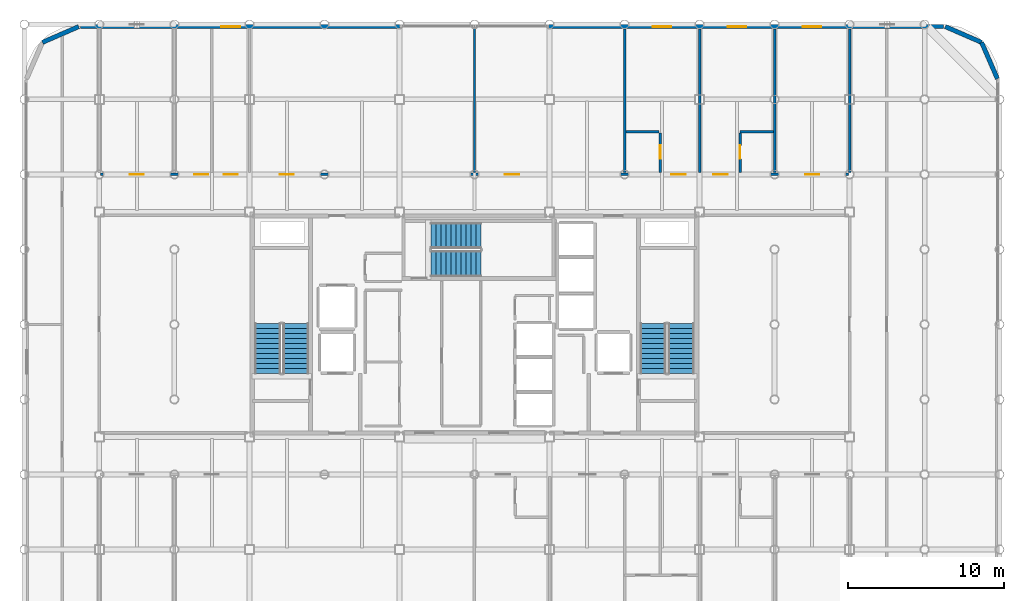
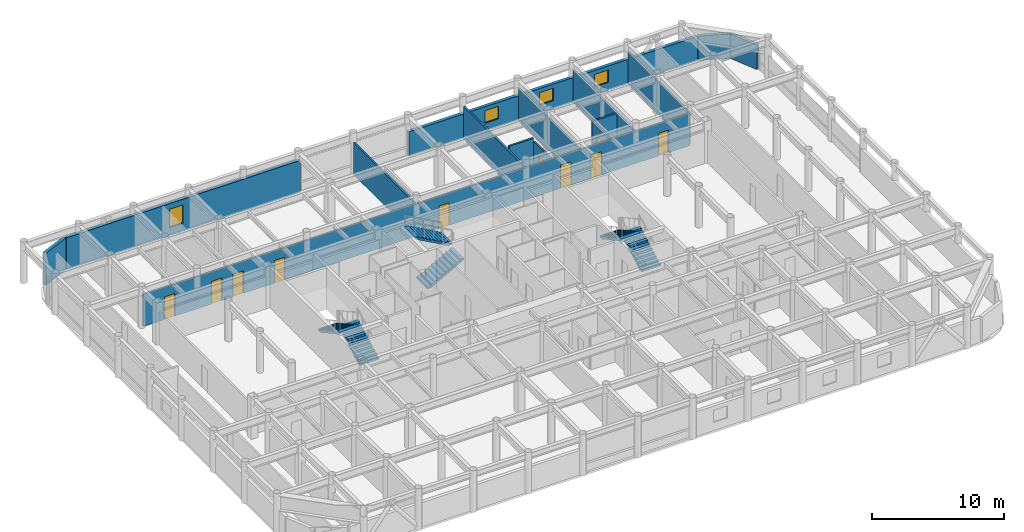
# One storey, part 20 of 21: 15 walls, 10 doors, 6 stair flights, 4 windows, 14 openings, 3 elements without a shape of their own.
"""IFC4 building model written with IfcOpenShell, lengths in metres."""

from ifc_helpers import new_model, si_unit, direction, frame, frame_2d, origin, place, context, subcontext, project, spatial, polyline, rectangle, outline, extrude, material, layer, layer_set, type_object, element, fill, aggregate, save


model = new_model("IFC4")

# Units and contexts
model_context = context("Model", 3, precision=1e-05, world=origin(), true_north=direction((0.0, 1.0)))
body_context = subcontext(model_context, "Body", "Model", "MODEL_VIEW")
ifc_project = project(units=[si_unit("LENGTHUNIT", "METRE"), si_unit("AREAUNIT", "SQUARE_METRE"), si_unit("VOLUMEUNIT", "CUBIC_METRE"), si_unit("PLANEANGLEUNIT", "RADIAN"), si_unit("MASSUNIT", "GRAM", prefix="KILO")], contexts=[model_context])

# Site, building, storey
site_placement = place(None, origin())
site = spatial("IfcSite", under=ifc_project, at=site_placement, CompositionType="ELEMENT")
building_placement = place(site_placement, origin())
building = spatial("IfcBuilding", under=site, at=building_placement, Name="Kallvorn Hotel Tower", CompositionType="ELEMENT")
storey_placement = place(building_placement, frame((0.0, 0.0, 210.75)))
storey = spatial("IfcBuildingStorey", under=building, at=storey_placement, Name="L52", CompositionType="ELEMENT", Elevation=210.75)

# Wall, openings, doors
ifc_material_1 = material(Name="Fire-rated double-layer acoustic gypsum drywall EI 60")
ifc_layer_1 = layer(ifc_material_1, 0.159912109375)
ifc_layer_set_1 = layer_set([ifc_layer_1], Name="WL_DEMISE_160")
wall_type_1 = type_object("IfcWallType", Name="WL_DEMISE_160", PredefinedType="PARTITIONING", material=ifc_layer_set_1)
wall_1_placement = place(storey_placement, frame((-23.919921875, 9.60009765625, 0.0), z_axis=(0.0, 0.0, 1.0), x_axis=(1.0, 0.0, 0.0)))
wall_1 = element("IfcWall", 1, at=wall_1_placement, inside=storey, type_object=wall_type_1, Name="L52 Suite 5204 Standard King Room Partition", PredefinedType="PARTITIONING", context=body_context, shape_type="SweptSolid", body=[
    extrude(rectangle(XDim=47.83984375, YDim=0.159912109375, at=frame_2d((23.919921875, 0.0))), origin(), (0.0, 0.0, 1.0), 2.969970703125),
])
opening_1_placement = place(wall_1_placement, frame((1.8701171875, 0.0, 0.0)))
opening_1 = element("IfcOpeningElement", 2, at=opening_1_placement, cuts=wall_1, Name="Opening SVD1", PredefinedType="OPENING", context=body_context, shape_type="SweptSolid", body=[
    extrude(rectangle(XDim=0.89990234375, YDim=2.10009765625, at=frame_2d((0.449951171875, 1.050048828125))), frame((0.0, 0.094970703125, 0.0), z_axis=(0.0, -1.0, 0.0), x_axis=(1.0, 0.0, 0.0)), (0.0, 0.0, 1.0), 0.18994140625),
])
opening_2_placement = place(wall_1_placement, frame((45.070068359375, 0.0, 0.0)))
opening_2 = element("IfcOpeningElement", 3, at=opening_2_placement, cuts=wall_1, Name="Opening SVD1", PredefinedType="OPENING", context=body_context, shape_type="SweptSolid", body=[
    extrude(rectangle(XDim=0.89990234375, YDim=2.10009765625, at=frame_2d((0.449951171875, 1.050048828125))), frame((0.0, 0.094970703125, 0.0), z_axis=(0.0, -1.0, 0.0), x_axis=(1.0, 0.0, 0.0)), (0.0, 0.0, 1.0), 0.18994140625),
])
opening_3_placement = place(wall_1_placement, frame((5.97998046875, 0.0, 0.0)))
opening_3 = element("IfcOpeningElement", 4, at=opening_3_placement, cuts=wall_1, Name="Opening SVD1", PredefinedType="OPENING", context=body_context, shape_type="SweptSolid", body=[
    extrude(rectangle(XDim=0.89990234375, YDim=2.10009765625, at=frame_2d((0.449951171875, 1.050048828125))), frame((0.0, 0.094970703125, 0.0), z_axis=(0.0, -1.0, 0.0), x_axis=(1.0, 0.0, 0.0)), (0.0, 0.0, 1.0), 0.18994140625),
])
opening_4_placement = place(wall_1_placement, frame((7.8701171875, 0.0, 0.0)))
opening_4 = element("IfcOpeningElement", 5, at=opening_4_placement, cuts=wall_1, Name="Opening SVD1", PredefinedType="OPENING", context=body_context, shape_type="SweptSolid", body=[
    extrude(rectangle(XDim=0.89990234375, YDim=2.10009765625, at=frame_2d((0.449951171875, 1.050048828125))), frame((0.0, 0.094970703125, 0.0), z_axis=(0.0, -1.0, 0.0), x_axis=(1.0, 0.0, 0.0)), (0.0, 0.0, 1.0), 0.18994140625),
])
opening_5_placement = place(wall_1_placement, frame((11.469970703125, 0.0, 0.0)))
opening_5 = element("IfcOpeningElement", 6, at=opening_5_placement, cuts=wall_1, Name="Opening SVD1", PredefinedType="OPENING", context=body_context, shape_type="SweptSolid", body=[
    extrude(rectangle(XDim=0.89990234375, YDim=2.10009765625, at=frame_2d((0.449951171875, 1.050048828125))), frame((0.0, 0.094970703125, 0.0), z_axis=(0.0, -1.0, 0.0), x_axis=(1.0, 0.0, 0.0)), (0.0, 0.0, 1.0), 0.18994140625),
])
opening_6_placement = place(wall_1_placement, frame((25.8701171875, 0.0, 0.0)))
opening_6 = element("IfcOpeningElement", 7, at=opening_6_placement, cuts=wall_1, Name="Opening SVD1", PredefinedType="OPENING", context=body_context, shape_type="SweptSolid", body=[
    extrude(rectangle(XDim=0.89990234375, YDim=2.10009765625, at=frame_2d((0.449951171875, 1.050048828125))), frame((0.0, 0.094970703125, 0.0), z_axis=(0.0, -1.0, 0.0), x_axis=(1.0, 0.0, 0.0)), (0.0, 0.0, 1.0), 0.18994140625),
])
opening_7_placement = place(wall_1_placement, frame((36.52490234375, 0.0, 0.0)))
opening_7 = element("IfcOpeningElement", 8, at=opening_7_placement, cuts=wall_1, Name="Opening GD1", PredefinedType="OPENING", context=body_context, shape_type="SweptSolid", body=[
    extrude(rectangle(XDim=0.919921875, YDim=2.14990234375, at=frame_2d((0.4599609375, 1.074951171875))), frame((0.0, 0.094970703125, 0.0), z_axis=(0.0, -1.0, 0.0), x_axis=(1.0, 0.0, 0.0)), (0.0, 0.0, 1.0), 0.18994140625),
])
opening_8_placement = place(wall_1_placement, frame((39.195068359375, 0.0, 0.0)))
opening_8 = element("IfcOpeningElement", 9, at=opening_8_placement, cuts=wall_1, Name="Opening GD1", PredefinedType="OPENING", context=body_context, shape_type="SweptSolid", body=[
    extrude(rectangle(XDim=0.919921875, YDim=2.14990234375, at=frame_2d((0.4599609375, 1.074951171875))), frame((0.0, 0.094970703125, 0.0), z_axis=(0.0, -1.0, 0.0), x_axis=(1.0, 0.0, 0.0)), (0.0, 0.0, 1.0), 0.18994140625),
])
ifc_material_2 = material(Name="Solid-core walnut veneer fire-rated timber door leaf", Category="wood")
door_type_1 = type_object("IfcDoorType", Name="DR_GUEST_920x2150", OperationType="NOTDEFINED", PredefinedType="DOOR", material=ifc_material_2)
door_1_placement = place(opening_7_placement, origin())
door_1 = element("IfcDoor", 10, at=door_1_placement, inside=storey, type_object=door_type_1, Name="L52 Suite 5204 Standard King Room Door", OperationType="SINGLE_SWING_LEFT", OverallHeight=2.14990234375, OverallWidth=0.919921875, PredefinedType="DOOR", context=body_context, shape_type="SweptSolid", body=[
    extrude(rectangle(XDim=0.919921875, YDim=2.14990234375, at=frame_2d((0.4599609375, 1.074951171875))), frame((0.0, 0.02490234375, 0.0), z_axis=(0.0, -1.0, 0.0), x_axis=(1.0, 0.0, 0.0)), (0.0, 0.0, 1.0), 0.050048828125),
])
fill(opening_7, door_1)
door_2_placement = place(opening_8_placement, origin())
door_2 = element("IfcDoor", 11, at=door_2_placement, inside=storey, type_object=door_type_1, Name="L52 Suite 5205 Standard King Room Door", OperationType="SINGLE_SWING_RIGHT", OverallHeight=2.14990234375, OverallWidth=0.919921875, PredefinedType="DOOR", context=body_context, shape_type="SweptSolid", body=[
    extrude(rectangle(XDim=0.919921875, YDim=2.14990234375, at=frame_2d((0.4599609375, 1.074951171875))), frame((0.0, 0.02490234375, 0.0), z_axis=(0.0, -1.0, 0.0), x_axis=(1.0, 0.0, 0.0)), (0.0, 0.0, 1.0), 0.050048828125),
])
fill(opening_8, door_2)
ifc_material_3 = material(Name="Galvanised painted steel fire-rated door assembly", Category="steel")
door_type_2 = type_object("IfcDoorType", Name="DR_SERV_900x2100", OperationType="NOTDEFINED", PredefinedType="DOOR", material=ifc_material_3)
door_3_placement = place(opening_1_placement, origin())
door_3 = element("IfcDoor", 12, at=door_3_placement, inside=storey, type_object=door_type_2, Name="L52 L52 High-Zone North-West Reading Salon Door", OperationType="SINGLE_SWING_LEFT", OverallHeight=2.10009765625, OverallWidth=0.89990234375, PredefinedType="DOOR", context=body_context, shape_type="SweptSolid", body=[
    extrude(rectangle(XDim=0.89990234375, YDim=2.10009765625, at=frame_2d((0.449951171875, 1.050048828125))), frame((0.0, 0.02490234375, 0.0), z_axis=(0.0, -1.0, 0.0), x_axis=(1.0, 0.0, 0.0)), (0.0, 0.0, 1.0), 0.050048828125),
])
fill(opening_1, door_3)
door_4_placement = place(opening_2_placement, origin())
door_4 = element("IfcDoor", 13, at=door_4_placement, inside=storey, type_object=door_type_2, Name="L52 L52 High-Zone North-East Pastry Bar Door", OperationType="SINGLE_SWING_LEFT", OverallHeight=2.10009765625, OverallWidth=0.89990234375, PredefinedType="DOOR", context=body_context, shape_type="SweptSolid", body=[
    extrude(rectangle(XDim=0.89990234375, YDim=2.10009765625, at=frame_2d((0.449951171875, 1.050048828125))), frame((0.0, 0.02490234375, 0.0), z_axis=(0.0, -1.0, 0.0), x_axis=(1.0, 0.0, 0.0)), (0.0, 0.0, 1.0), 0.050048828125),
])
fill(opening_2, door_4)
door_5_placement = place(opening_3_placement, origin())
door_5 = element("IfcDoor", 14, at=door_5_placement, inside=storey, type_object=door_type_2, Name="L52 Housekeeping and Linen Room Door", OperationType="SINGLE_SWING_RIGHT", OverallHeight=2.10009765625, OverallWidth=0.89990234375, PredefinedType="DOOR", context=body_context, shape_type="SweptSolid", body=[
    extrude(rectangle(XDim=0.89990234375, YDim=2.10009765625, at=frame_2d((0.449951171875, 1.050048828125))), frame((0.0, 0.02490234375, 0.0), z_axis=(0.0, -1.0, 0.0), x_axis=(1.0, 0.0, 0.0)), (0.0, 0.0, 1.0), 0.050048828125),
])
fill(opening_3, door_5)
door_6_placement = place(opening_4_placement, origin())
door_6 = element("IfcDoor", 15, at=door_6_placement, inside=storey, type_object=door_type_2, Name="L52 Guest Tea and Refreshment Bar Door", OperationType="SINGLE_SWING_LEFT", OverallHeight=2.10009765625, OverallWidth=0.89990234375, PredefinedType="DOOR", context=body_context, shape_type="SweptSolid", body=[
    extrude(rectangle(XDim=0.89990234375, YDim=2.10009765625, at=frame_2d((0.449951171875, 1.050048828125))), frame((0.0, 0.02490234375, 0.0), z_axis=(0.0, -1.0, 0.0), x_axis=(1.0, 0.0, 0.0)), (0.0, 0.0, 1.0), 0.050048828125),
])
fill(opening_4, door_6)
door_7_placement = place(opening_5_placement, origin())
door_7 = element("IfcDoor", 16, at=door_7_placement, inside=storey, type_object=door_type_2, Name="L52 L52 Andean Tasting Sky Restaurant 2 Door", OperationType="SINGLE_SWING_LEFT", OverallHeight=2.10009765625, OverallWidth=0.89990234375, PredefinedType="DOOR", context=body_context, shape_type="SweptSolid", body=[
    extrude(rectangle(XDim=0.89990234375, YDim=2.10009765625, at=frame_2d((0.449951171875, 1.050048828125))), frame((0.0, 0.02490234375, 0.0), z_axis=(0.0, -1.0, 0.0), x_axis=(1.0, 0.0, 0.0)), (0.0, 0.0, 1.0), 0.050048828125),
])
fill(opening_5, door_7)
door_8_placement = place(opening_6_placement, origin())
door_8 = element("IfcDoor", 17, at=door_8_placement, inside=storey, type_object=door_type_2, Name="L52 L52 Curated Emerald Craft Retail Boutique 3 Door", OperationType="SINGLE_SWING_RIGHT", OverallHeight=2.10009765625, OverallWidth=0.89990234375, PredefinedType="DOOR", context=body_context, shape_type="SweptSolid", body=[
    extrude(rectangle(XDim=0.89990234375, YDim=2.10009765625, at=frame_2d((0.449951171875, 1.050048828125))), frame((0.0, 0.02490234375, 0.0), z_axis=(0.0, -1.0, 0.0), x_axis=(1.0, 0.0, 0.0)), (0.0, 0.0, 1.0), 0.050048828125),
])
fill(opening_6, door_8)

# Walls
wall_2_placement = place(storey_placement, frame((9.679931640625, 12.320068359375, 0.0), z_axis=(0.0, 0.0, 1.0), x_axis=(1.0, 0.0, 0.0)))
element("IfcWall", 18, at=wall_2_placement, inside=storey, type_object=wall_type_1, Name="L52 Suite 5204 Standard King Room Partition", PredefinedType="PARTITIONING", context=body_context, shape_type="SweptSolid", body=[
    extrude(rectangle(XDim=2.130126953125, YDim=0.159912109375, at=frame_2d((1.06494140625, 0.0))), origin(), (0.0, 0.0, 1.0), 3.27001953125),
])
wall_3_placement = place(storey_placement, frame((16.989990234375, 12.320068359375, 0.0), z_axis=(0.0, 0.0, 1.0), x_axis=(1.0, 0.0, 0.0)))
element("IfcWall", 19, at=wall_3_placement, inside=storey, type_object=wall_type_1, Name="L52 Suite 5205 Standard King Room Partition", PredefinedType="PARTITIONING", context=body_context, shape_type="SweptSolid", body=[
    extrude(rectangle(XDim=2.130126953125, YDim=0.159912109375, at=frame_2d((1.06494140625, 0.0))), origin(), (0.0, 0.0, 1.0), 3.02001953125),
])
wall_4_placement = place(storey_placement, frame((9.60009765625, 9.719970703125, 0.0), z_axis=(0.0, 0.0, 1.0), x_axis=(0.0, 1.0, 0.0)))
element("IfcWall", 20, at=wall_4_placement, inside=storey, type_object=wall_type_1, Name="L52 Suite 5204 Standard King Room Partition", PredefinedType="PARTITIONING", context=body_context, shape_type="SweptSolid", body=[
    extrude(rectangle(XDim=9.18994140625, YDim=0.159912109375, at=frame_2d((4.594970703125, 0.0))), origin(), (0.0, 0.0, 1.0), 2.969970703125),
])

# Wall, opening, door
wall_5_placement = place(storey_placement, frame((11.885009765625, 9.719970703125, 0.0), z_axis=(0.0, 0.0, 1.0), x_axis=(0.0, 1.0, 0.0)))
wall_5 = element("IfcWall", 21, at=wall_5_placement, inside=storey, type_object=wall_type_1, Name="L52 Suite 5204 Standard King Room Partition", PredefinedType="PARTITIONING", context=body_context, shape_type="SweptSolid", body=[
    extrude(rectangle(XDim=2.51513671875, YDim=0.159912109375, at=frame_2d((1.257568359375, 0.0))), origin(), (0.0, 0.0, 1.0), 2.969970703125),
])
opening_9_placement = place(wall_5_placement, frame((0.8701171875, 0.0, 0.0)))
opening_9 = element("IfcOpeningElement", 22, at=opening_9_placement, cuts=wall_5, Name="Opening BD-I", PredefinedType="OPENING", context=body_context, shape_type="SweptSolid", body=[
    extrude(rectangle(XDim=0.860107421875, YDim=2.10009765625, at=frame_2d((0.43017578125, 1.050048828125))), frame((0.0, 0.094970703125, 0.0), z_axis=(0.0, -1.0, 0.0), x_axis=(1.0, 0.0, 0.0)), (0.0, 0.0, 1.0), 0.18994140625),
])
ifc_material_4 = material(Name="Solid-core walnut veneer fire-rated timber door leaf", Category="wood")
door_type_3 = type_object("IfcDoorType", Name="DR_BATH_860x2100", OperationType="NOTDEFINED", PredefinedType="DOOR", material=ifc_material_4)
door_9_placement = place(opening_9_placement, origin())
door_9 = element("IfcDoor", 23, at=door_9_placement, inside=storey, type_object=door_type_3, Name="L52 Suite 5204 En-Suite Bathroom Door", OperationType="SINGLE_SWING_RIGHT", OverallHeight=2.10009765625, OverallWidth=0.860107421875, PredefinedType="DOOR", context=body_context, shape_type="SweptSolid", body=[
    extrude(rectangle(XDim=0.860107421875, YDim=2.10009765625, at=frame_2d((0.43017578125, 1.050048828125))), frame((0.0, 0.02490234375, 0.0), z_axis=(0.0, -1.0, 0.0), x_axis=(1.0, 0.0, 0.0)), (0.0, 0.0, 1.0), 0.050048828125),
])
fill(opening_9, door_9)

# Wall
wall_6_placement = place(storey_placement, frame((14.39990234375, 9.719970703125, 0.0), z_axis=(0.0, 0.0, 1.0), x_axis=(0.0, 1.0, 0.0)))
element("IfcWall", 24, at=wall_6_placement, inside=storey, type_object=wall_type_1, Name="L52 Suite 5204 Standard King Room Partition", PredefinedType="PARTITIONING", context=body_context, shape_type="SweptSolid", body=[
    extrude(rectangle(XDim=9.18994140625, YDim=0.159912109375, at=frame_2d((4.594970703125, 0.0))), origin(), (0.0, 0.0, 1.0), 2.969970703125),
])

# Wall, opening, door
wall_7_placement = place(storey_placement, frame((16.989990234375, 9.719970703125, 0.0), z_axis=(0.0, 0.0, 1.0), x_axis=(0.0, 1.0, 0.0)))
wall_7 = element("IfcWall", 25, at=wall_7_placement, inside=storey, type_object=wall_type_1, Name="L52 Suite 5205 Standard King Room Partition", PredefinedType="PARTITIONING", context=body_context, shape_type="SweptSolid", body=[
    extrude(rectangle(XDim=2.51513671875, YDim=0.159912109375, at=frame_2d((1.257568359375, 0.0))), origin(), (0.0, 0.0, 1.0), 2.969970703125),
])
opening_10_placement = place(wall_7_placement, frame((0.8701171875, 0.0, 0.0)))
opening_10 = element("IfcOpeningElement", 26, at=opening_10_placement, cuts=wall_7, Name="Opening BD-I", PredefinedType="OPENING", context=body_context, shape_type="SweptSolid", body=[
    extrude(rectangle(XDim=0.860107421875, YDim=2.10009765625, at=frame_2d((0.43017578125, 1.050048828125))), frame((0.0, 0.094970703125, 0.0), z_axis=(0.0, -1.0, 0.0), x_axis=(1.0, 0.0, 0.0)), (0.0, 0.0, 1.0), 0.18994140625),
])
door_10_placement = place(opening_10_placement, origin())
door_10 = element("IfcDoor", 27, at=door_10_placement, inside=storey, type_object=door_type_3, Name="L52 Suite 5205 En-Suite Bathroom Door", OperationType="SINGLE_SWING_LEFT", OverallHeight=2.10009765625, OverallWidth=0.860107421875, PredefinedType="DOOR", context=body_context, shape_type="SweptSolid", body=[
    extrude(rectangle(XDim=0.860107421875, YDim=2.10009765625, at=frame_2d((0.43017578125, 1.050048828125))), frame((0.0, 0.02490234375, 0.0), z_axis=(0.0, -1.0, 0.0), x_axis=(1.0, 0.0, 0.0)), (0.0, 0.0, 1.0), 0.050048828125),
])
fill(opening_10, door_10)

# Walls
wall_8_placement = place(storey_placement, frame((19.199951171875, 9.719970703125, 0.0), z_axis=(0.0, 0.0, 1.0), x_axis=(0.0, 1.0, 0.0)))
element("IfcWall", 28, at=wall_8_placement, inside=storey, type_object=wall_type_1, Name="L52 Suite 5205 Standard King Room Partition", PredefinedType="PARTITIONING", context=body_context, shape_type="SweptSolid", body=[
    extrude(rectangle(XDim=9.18994140625, YDim=0.159912109375, at=frame_2d((4.594970703125, 0.0))), origin(), (0.0, 0.0, 1.0), 2.969970703125),
])
ifc_material_5 = material(Name="Precast basalt-clad insulated concrete wall C40/50", Category="masonry")
ifc_layer_2 = layer(ifc_material_5, 0.280029296875)
ifc_layer_set_2 = layer_set([ifc_layer_2], Name="WL_EXT_LOGGIA_280")
wall_type_2 = type_object("IfcWallType", Name="WL_EXT_LOGGIA_280", PredefinedType="SOLIDWALL", material=ifc_layer_set_2)
wall_9_placement = place(storey_placement, frame((33.4580078125, 15.720703125, 0.0), z_axis=(0.0, 0.0, 1.0), x_axis=(-0.398792985289, 0.917040977756, 0.0)))
element("IfcWall", 29, at=wall_9_placement, inside=storey, type_object=wall_type_2, Name="L52 Rounded Corner Exterior Wall NE1", PredefinedType="SOLIDWALL", context=body_context, shape_type="SweptSolid", body=[
    extrude(rectangle(XDim=2.536376953125, YDim=0.280029296875, at=frame_2d((1.26806640625, 0.0))), origin(), (0.0, 0.0, 1.0), 2.27001953125),
])
wall_10_placement = place(storey_placement, frame((32.446533203125, 18.046630859375, 0.0), z_axis=(0.0, 0.0, 1.0), x_axis=(-0.917060872934, 0.398747232384, 0.0)))
element("IfcWall", 30, at=wall_10_placement, inside=storey, type_object=wall_type_2, Name="L52 Rounded Corner Exterior Wall NE2", PredefinedType="SOLIDWALL", context=body_context, shape_type="SweptSolid", body=[
    extrude(rectangle(XDim=2.5361328125, YDim=0.280029296875, at=frame_2d((1.26806640625, 0.0))), origin(), (0.0, 0.0, 1.0), 2.27001953125),
])
wall_11_placement = place(storey_placement, frame((-25.32080078125, 19.057861328125, 0.0), z_axis=(0.0, 0.0, 1.0), x_axis=(-0.917060872934, -0.398747232384, 0.0)))
element("IfcWall", 31, at=wall_11_placement, inside=storey, type_object=wall_type_2, Name="L52 Rounded Corner Exterior Wall NW1", PredefinedType="SOLIDWALL", context=body_context, shape_type="SweptSolid", body=[
    extrude(rectangle(XDim=2.5361328125, YDim=0.280029296875, at=frame_2d((1.26806640625, 0.0))), origin(), (0.0, 0.0, 1.0), 2.969970703125),
])

# Wall, opening, window
wall_12_placement = place(storey_placement, frame((-25.199951171875, 19.06005859375, 0.0), z_axis=(0.0, 0.0, 1.0), x_axis=(1.0, 0.0, 0.0)))
wall_12 = element("IfcWall", 32, at=wall_12_placement, inside=storey, type_object=wall_type_2, Name="L52 Exterior Envelope Wall EW-L52-NW", PredefinedType="SOLIDWALL", context=body_context, shape_type="SweptSolid", body=[
    extrude(rectangle(XDim=20.449951171875, YDim=0.280029296875, at=frame_2d((10.22509765625, 0.0))), origin(), (0.0, 0.0, 1.0), 2.969970703125),
])
opening_11_placement = place(wall_12_placement, frame((9.0, 0.0, 0.75)))
opening_11 = element("IfcOpeningElement", 33, at=opening_11_placement, cuts=wall_12, Name="Opening W06", PredefinedType="OPENING", context=body_context, shape_type="SweptSolid", body=[
    extrude(rectangle(XDim=1.199951171875, YDim=1.699951171875, at=frame_2d((0.60009765625, 0.85009765625))), frame((0.0, 0.155029296875, 0.0), z_axis=(0.0, -1.0, 0.0), x_axis=(1.0, 0.0, 0.0)), (0.0, 0.0, 1.0), 0.31005859375),
])
ifc_material_6 = material(Name="Triple-glazed low-e acoustic solar-control dark glass", Category="glass")
window_type_1 = type_object("IfcWindowType", Name="WN_HTL_1200x1700", PartitioningType="SINGLE_PANEL", PredefinedType="WINDOW", material=ifc_material_6)
window_1_placement = place(opening_11_placement, origin())
window_1 = element("IfcWindow", 34, at=window_1_placement, inside=storey, type_object=window_type_1, Name="L52 Guestroom Exterior Window 07", OverallHeight=1.699951171875, OverallWidth=1.199951171875, PartitioningType="SINGLE_PANEL", PredefinedType="WINDOW", context=body_context, shape_type="SweptSolid", body=[
    extrude(rectangle(XDim=1.199951171875, YDim=1.699951171875, at=frame_2d((0.60009765625, 0.85009765625))), frame((0.0, 0.030029296875, 0.0), z_axis=(0.0, -1.0, 0.0), x_axis=(1.0, 0.0, 0.0)), (0.0, 0.0, 1.0), 0.06005859375),
])
fill(opening_11, window_1)

# Wall, openings, windows
wall_13_placement = place(storey_placement, frame((4.75, 19.06005859375, 0.0), z_axis=(0.0, 0.0, 1.0), x_axis=(1.0, 0.0, 0.0)))
wall_13 = element("IfcWall", 35, at=wall_13_placement, inside=storey, type_object=wall_type_2, Name="L52 Exterior Envelope Wall EW-L52-NE", PredefinedType="SOLIDWALL", context=body_context, shape_type="SweptSolid", body=[
    extrude(rectangle(XDim=25.25, YDim=0.280029296875, at=frame_2d((12.625, 0.0))), origin(), (0.0, 0.0, 1.0), 2.27001953125),
])
opening_12_placement = place(wall_13_placement, frame((16.25, 0.0, 0.75)))
opening_12 = element("IfcOpeningElement", 36, at=opening_12_placement, cuts=wall_13, Name="Opening W06A", PredefinedType="OPENING", context=body_context, shape_type="SweptSolid", body=[
    extrude(rectangle(XDim=1.199951171875, YDim=1.14990234375, at=frame_2d((0.60009765625, 0.574951171875))), frame((0.0, 0.155029296875, 0.0), z_axis=(0.0, -1.0, 0.0), x_axis=(1.0, 0.0, 0.0)), (0.0, 0.0, 1.0), 0.31005859375),
])
opening_13_placement = place(wall_13_placement, frame((6.64990234375, 0.0, 0.75)))
opening_13 = element("IfcOpeningElement", 37, at=opening_13_placement, cuts=wall_13, Name="Opening W06A", PredefinedType="OPENING", context=body_context, shape_type="SweptSolid", body=[
    extrude(rectangle(XDim=1.199951171875, YDim=1.14990234375, at=frame_2d((0.60009765625, 0.574951171875))), frame((0.0, 0.155029296875, 0.0), z_axis=(0.0, -1.0, 0.0), x_axis=(1.0, 0.0, 0.0)), (0.0, 0.0, 1.0), 0.31005859375),
])
opening_14_placement = place(wall_13_placement, frame((11.449951171875, 0.0, 0.75)))
opening_14 = element("IfcOpeningElement", 38, at=opening_14_placement, cuts=wall_13, Name="Opening W06A", PredefinedType="OPENING", context=body_context, shape_type="SweptSolid", body=[
    extrude(rectangle(XDim=1.199951171875, YDim=1.14990234375, at=frame_2d((0.60009765625, 0.574951171875))), frame((0.0, 0.155029296875, 0.0), z_axis=(0.0, -1.0, 0.0), x_axis=(1.0, 0.0, 0.0)), (0.0, 0.0, 1.0), 0.31005859375),
])
ifc_material_7 = material(Name="Triple-glazed low-e acoustic solar-control dark glass", Category="glass")
window_type_2 = type_object("IfcWindowType", Name="WN_HTL_1200x1150", PartitioningType="SINGLE_PANEL", PredefinedType="WINDOW", material=ifc_material_7)
window_2_placement = place(opening_12_placement, origin())
window_2 = element("IfcWindow", 39, at=window_2_placement, inside=storey, type_object=window_type_2, Name="L52 Guestroom Exterior Window 02", OverallHeight=1.14990234375, OverallWidth=1.199951171875, PartitioningType="SINGLE_PANEL", PredefinedType="WINDOW", context=body_context, shape_type="SweptSolid", body=[
    extrude(rectangle(XDim=1.199951171875, YDim=1.14990234375, at=frame_2d((0.60009765625, 0.574951171875))), frame((0.0, 0.030029296875, 0.0), z_axis=(0.0, -1.0, 0.0), x_axis=(1.0, 0.0, 0.0)), (0.0, 0.0, 1.0), 0.06005859375),
])
fill(opening_12, window_2)
window_3_placement = place(opening_13_placement, origin())
window_3 = element("IfcWindow", 40, at=window_3_placement, inside=storey, type_object=window_type_2, Name="L52 Guestroom Exterior Window 08", OverallHeight=1.14990234375, OverallWidth=1.199951171875, PartitioningType="SINGLE_PANEL", PredefinedType="WINDOW", context=body_context, shape_type="SweptSolid", body=[
    extrude(rectangle(XDim=1.199951171875, YDim=1.14990234375, at=frame_2d((0.60009765625, 0.574951171875))), frame((0.0, 0.030029296875, 0.0), z_axis=(0.0, -1.0, 0.0), x_axis=(1.0, 0.0, 0.0)), (0.0, 0.0, 1.0), 0.06005859375),
])
fill(opening_13, window_3)
window_4_placement = place(opening_14_placement, origin())
window_4 = element("IfcWindow", 41, at=window_4_placement, inside=storey, type_object=window_type_2, Name="L52 Guestroom Exterior Window 09", OverallHeight=1.14990234375, OverallWidth=1.199951171875, PartitioningType="SINGLE_PANEL", PredefinedType="WINDOW", context=body_context, shape_type="SweptSolid", body=[
    extrude(rectangle(XDim=1.199951171875, YDim=1.14990234375, at=frame_2d((0.60009765625, 0.574951171875))), frame((0.0, 0.030029296875, 0.0), z_axis=(0.0, -1.0, 0.0), x_axis=(1.0, 0.0, 0.0)), (0.0, 0.0, 1.0), 0.06005859375),
])
fill(opening_14, window_4)

# Walls
ifc_material_8 = material(Name="Fire-rated double-layer acoustic gypsum drywall EI 60")
ifc_layer_3 = layer(ifc_material_8, 0.14990234375)
ifc_layer_set_3 = layer_set([ifc_layer_3], Name="WL_PART_150")
wall_type_3 = type_object("IfcWallType", Name="WL_PART_150", PredefinedType="PARTITIONING", material=ifc_layer_set_3)
wall_14_placement = place(storey_placement, frame((0.0, 9.719970703125, 0.0), z_axis=(0.0, 0.0, 1.0), x_axis=(0.0, 1.0, 0.0)))
element("IfcWall", 42, at=wall_14_placement, inside=storey, type_object=wall_type_3, Name="L52 L52 Andean Tasting Sky Restaurant 2 Partition", PredefinedType="PARTITIONING", context=body_context, shape_type="SweptSolid", body=[
    extrude(rectangle(XDim=9.275146484375, YDim=0.14990234375, at=frame_2d((4.6376953125, 0.0))), origin(), (0.0, 0.0, 1.0), 2.969970703125),
])
wall_15_placement = place(storey_placement, frame((24.0, 9.719970703125, 0.0), z_axis=(0.0, 0.0, 1.0), x_axis=(0.0, 1.0, 0.0)))
element("IfcWall", 43, at=wall_15_placement, inside=storey, type_object=wall_type_3, Name="L52 L52 High-Zone North-East Pastry Bar Partition", PredefinedType="PARTITIONING", context=body_context, shape_type="SweptSolid", body=[
    extrude(rectangle(XDim=9.18994140625, YDim=0.14990234375, at=frame_2d((4.594970703125, 0.0))), origin(), (0.0, 0.0, 1.0), 2.969970703125),
])

# Stair, stair flights
ifc_material_9 = material(Name="Precast concrete C40/50", Category="concrete")
stair_type = type_object("IfcStairType", Name="STR_CORE_DOGLEG", PredefinedType="HALF_TURN_STAIR", material=ifc_material_9)
stair_1_placement = place(storey_placement, origin())
stair_1 = element("IfcStair", 44, at=stair_1_placement, inside=storey, type_object=stair_type, Name="L52 Exit stair ST1", PredefinedType="HALF_TURN_STAIR")
ifc_material_10 = material(Name="Precast concrete C40/50", Category="concrete")
stair_flight_type = type_object("IfcStairFlightType", Name="FLT_CORE_1660", PredefinedType="STRAIGHT", material=ifc_material_10)
stair_flight_1_placement = place(storey_placement, frame((-11.429931640625, -3.139892578125, 0.0), z_axis=(0.0, 0.0, 1.0), x_axis=(0.0, 1.0, 0.0)))
stair_flight_1 = element("IfcStairFlight", 45, at=stair_flight_1_placement, type_object=stair_flight_type, Name="ST1 flight 1", NumberOfRisers=11, NumberOfTreads=10, PredefinedType="STRAIGHT", RiserHeight=0.175, TreadLength=0.32, context=body_context, shape_type="SweptSolid", body=[
    extrude(outline(polyline([(0.0, 0.0), (0.0, 0.175048828125), (0.320068359375, 0.175048828125), (0.320068359375, 0.35009765625), (0.639892578125, 0.35009765625), (0.639892578125, 0.52490234375), (0.9599609375, 0.52490234375), (0.9599609375, 0.699951171875), (1.280029296875, 0.699951171875), (1.280029296875, 0.875), (1.60009765625, 0.875), (1.60009765625, 1.050048828125), (1.919921875, 1.050048828125), (1.919921875, 1.22509765625), (2.239990234375, 1.22509765625), (2.239990234375, 1.39990234375), (2.56005859375, 1.39990234375), (2.56005859375, 1.574951171875), (2.8798828125, 1.574951171875), (2.8798828125, 1.75), (3.199951171875, 1.75), (3.199951171875, 1.925048828125), (3.199951171875, 1.5791015625), (0.3125, 0.0), (0.0, 0.0)])), frame((0.0, 0.830078125, 0.0), z_axis=(0.0, -1.0, 0.0), x_axis=(1.0, 0.0, 0.0)), (0.0, 0.0, 1.0), 1.659912109375),
])
stair_flight_2_placement = place(storey_placement, frame((-13.22998046875, 0.06005859375, 1.925048828125), z_axis=(0.0, 0.0, 1.0), x_axis=(0.0, -1.0, 0.0)))
stair_flight_2 = element("IfcStairFlight", 46, at=stair_flight_2_placement, type_object=stair_flight_type, Name="ST1 flight 2", NumberOfRisers=11, NumberOfTreads=10, PredefinedType="STRAIGHT", RiserHeight=0.175, TreadLength=0.32, context=body_context, shape_type="SweptSolid", body=[
    extrude(outline(polyline([(0.0, 0.0), (0.0, 0.175048828125), (0.320068359375, 0.175048828125), (0.320068359375, 0.35009765625), (0.639892578125, 0.35009765625), (0.639892578125, 0.52490234375), (0.9599609375, 0.52490234375), (0.9599609375, 0.699951171875), (1.280029296875, 0.699951171875), (1.280029296875, 0.875), (1.60009765625, 0.875), (1.60009765625, 1.050048828125), (1.919921875, 1.050048828125), (1.919921875, 1.22509765625), (2.239990234375, 1.22509765625), (2.239990234375, 1.39990234375), (2.56005859375, 1.39990234375), (2.56005859375, 1.574951171875), (2.8798828125, 1.574951171875), (2.8798828125, 1.75), (3.199951171875, 1.75), (3.199951171875, 1.925048828125), (3.199951171875, 1.5791015625), (0.3125, 0.0), (0.0, 0.0)])), frame((0.0, 0.830078125, 0.0), z_axis=(0.0, -1.0, 0.0), x_axis=(1.0, 0.0, 0.0)), (0.0, 0.0, 1.0), 1.659912109375),
])
aggregate(stair_1, [stair_flight_1, stair_flight_2])

stair_2_placement = place(storey_placement, origin())
stair_2 = element("IfcStair", 47, at=stair_2_placement, inside=storey, type_object=stair_type, Name="L52 Exit stair ST2", PredefinedType="HALF_TURN_STAIR")
stair_flight_3_placement = place(storey_placement, frame((13.22998046875, -3.139892578125, 0.0), z_axis=(0.0, 0.0, 1.0), x_axis=(0.0, 1.0, 0.0)))
stair_flight_3 = element("IfcStairFlight", 48, at=stair_flight_3_placement, type_object=stair_flight_type, Name="ST2 flight 1", NumberOfRisers=11, NumberOfTreads=10, PredefinedType="STRAIGHT", RiserHeight=0.175, TreadLength=0.32, context=body_context, shape_type="SweptSolid", body=[
    extrude(outline(polyline([(0.0, 0.0), (0.0, 0.175048828125), (0.320068359375, 0.175048828125), (0.320068359375, 0.35009765625), (0.639892578125, 0.35009765625), (0.639892578125, 0.52490234375), (0.9599609375, 0.52490234375), (0.9599609375, 0.699951171875), (1.280029296875, 0.699951171875), (1.280029296875, 0.875), (1.60009765625, 0.875), (1.60009765625, 1.050048828125), (1.919921875, 1.050048828125), (1.919921875, 1.22509765625), (2.239990234375, 1.22509765625), (2.239990234375, 1.39990234375), (2.56005859375, 1.39990234375), (2.56005859375, 1.574951171875), (2.8798828125, 1.574951171875), (2.8798828125, 1.75), (3.199951171875, 1.75), (3.199951171875, 1.925048828125), (3.199951171875, 1.5791015625), (0.3125, 0.0), (0.0, 0.0)])), frame((0.0, 0.830078125, 0.0), z_axis=(0.0, -1.0, 0.0), x_axis=(1.0, 0.0, 0.0)), (0.0, 0.0, 1.0), 1.659912109375),
])
stair_flight_4_placement = place(storey_placement, frame((11.429931640625, 0.06005859375, 1.925048828125), z_axis=(0.0, 0.0, 1.0), x_axis=(0.0, -1.0, 0.0)))
stair_flight_4 = element("IfcStairFlight", 49, at=stair_flight_4_placement, type_object=stair_flight_type, Name="ST2 flight 2", NumberOfRisers=11, NumberOfTreads=10, PredefinedType="STRAIGHT", RiserHeight=0.175, TreadLength=0.32, context=body_context, shape_type="SweptSolid", body=[
    extrude(outline(polyline([(0.0, 0.0), (0.0, 0.175048828125), (0.320068359375, 0.175048828125), (0.320068359375, 0.35009765625), (0.639892578125, 0.35009765625), (0.639892578125, 0.52490234375), (0.9599609375, 0.52490234375), (0.9599609375, 0.699951171875), (1.280029296875, 0.699951171875), (1.280029296875, 0.875), (1.60009765625, 0.875), (1.60009765625, 1.050048828125), (1.919921875, 1.050048828125), (1.919921875, 1.22509765625), (2.239990234375, 1.22509765625), (2.239990234375, 1.39990234375), (2.56005859375, 1.39990234375), (2.56005859375, 1.574951171875), (2.8798828125, 1.574951171875), (2.8798828125, 1.75), (3.199951171875, 1.75), (3.199951171875, 1.925048828125), (3.199951171875, 1.5791015625), (0.3125, 0.0), (0.0, 0.0)])), frame((0.0, 0.830078125, 0.0), z_axis=(0.0, -1.0, 0.0), x_axis=(1.0, 0.0, 0.0)), (0.0, 0.0, 1.0), 1.659912109375),
])
aggregate(stair_2, [stair_flight_3, stair_flight_4])

stair_3_placement = place(storey_placement, origin())
stair_3 = element("IfcStair", 50, at=stair_3_placement, inside=storey, type_object=stair_type, Name="L52 Exit stair ST3", PredefinedType="HALF_TURN_STAIR")
stair_flight_5_placement = place(storey_placement, frame((-2.7900390625, 3.8798828125, 0.0), z_axis=(0.0, 0.0, 1.0), x_axis=(1.0, 0.0, 0.0)))
stair_flight_5 = element("IfcStairFlight", 51, at=stair_flight_5_placement, type_object=stair_flight_type, Name="ST3 flight 1", NumberOfRisers=11, NumberOfTreads=10, PredefinedType="STRAIGHT", RiserHeight=0.175, TreadLength=0.32, context=body_context, shape_type="SweptSolid", body=[
    extrude(outline(polyline([(0.0, 0.0), (0.0, 0.175048828125), (0.320068359375, 0.175048828125), (0.320068359375, 0.35009765625), (0.639892578125, 0.35009765625), (0.639892578125, 0.52490234375), (0.9599609375, 0.52490234375), (0.9599609375, 0.699951171875), (1.280029296875, 0.699951171875), (1.280029296875, 0.875), (1.60009765625, 0.875), (1.60009765625, 1.050048828125), (1.919921875, 1.050048828125), (1.919921875, 1.22509765625), (2.239990234375, 1.22509765625), (2.239990234375, 1.39990234375), (2.56005859375, 1.39990234375), (2.56005859375, 1.574951171875), (2.8798828125, 1.574951171875), (2.8798828125, 1.75), (3.199951171875, 1.75), (3.199951171875, 1.925048828125), (3.199951171875, 1.5791015625), (0.3125, 0.0), (0.0, 0.0)])), frame((0.0, 0.830078125, 0.0), z_axis=(0.0, -1.0, 0.0), x_axis=(1.0, 0.0, 0.0)), (0.0, 0.0, 1.0), 1.659912109375),
])
stair_flight_6_placement = place(storey_placement, frame((0.409912109375, 5.679931640625, 1.925048828125), z_axis=(0.0, 0.0, 1.0), x_axis=(-1.0, 0.0, 0.0)))
stair_flight_6 = element("IfcStairFlight", 52, at=stair_flight_6_placement, type_object=stair_flight_type, Name="ST3 flight 2", NumberOfRisers=11, NumberOfTreads=10, PredefinedType="STRAIGHT", RiserHeight=0.175, TreadLength=0.32, context=body_context, shape_type="SweptSolid", body=[
    extrude(outline(polyline([(0.0, 0.0), (0.0, 0.175048828125), (0.320068359375, 0.175048828125), (0.320068359375, 0.35009765625), (0.639892578125, 0.35009765625), (0.639892578125, 0.52490234375), (0.9599609375, 0.52490234375), (0.9599609375, 0.699951171875), (1.280029296875, 0.699951171875), (1.280029296875, 0.875), (1.60009765625, 0.875), (1.60009765625, 1.050048828125), (1.919921875, 1.050048828125), (1.919921875, 1.22509765625), (2.239990234375, 1.22509765625), (2.239990234375, 1.39990234375), (2.56005859375, 1.39990234375), (2.56005859375, 1.574951171875), (2.8798828125, 1.574951171875), (2.8798828125, 1.75), (3.199951171875, 1.75), (3.199951171875, 1.925048828125), (3.199951171875, 1.5791015625), (0.3125, 0.0), (0.0, 0.0)])), frame((0.0, 0.830078125, 0.0), z_axis=(0.0, -1.0, 0.0), x_axis=(1.0, 0.0, 0.0)), (0.0, 0.0, 1.0), 1.659912109375),
])
aggregate(stair_3, [stair_flight_5, stair_flight_6])

save(model, "model.ifc")
